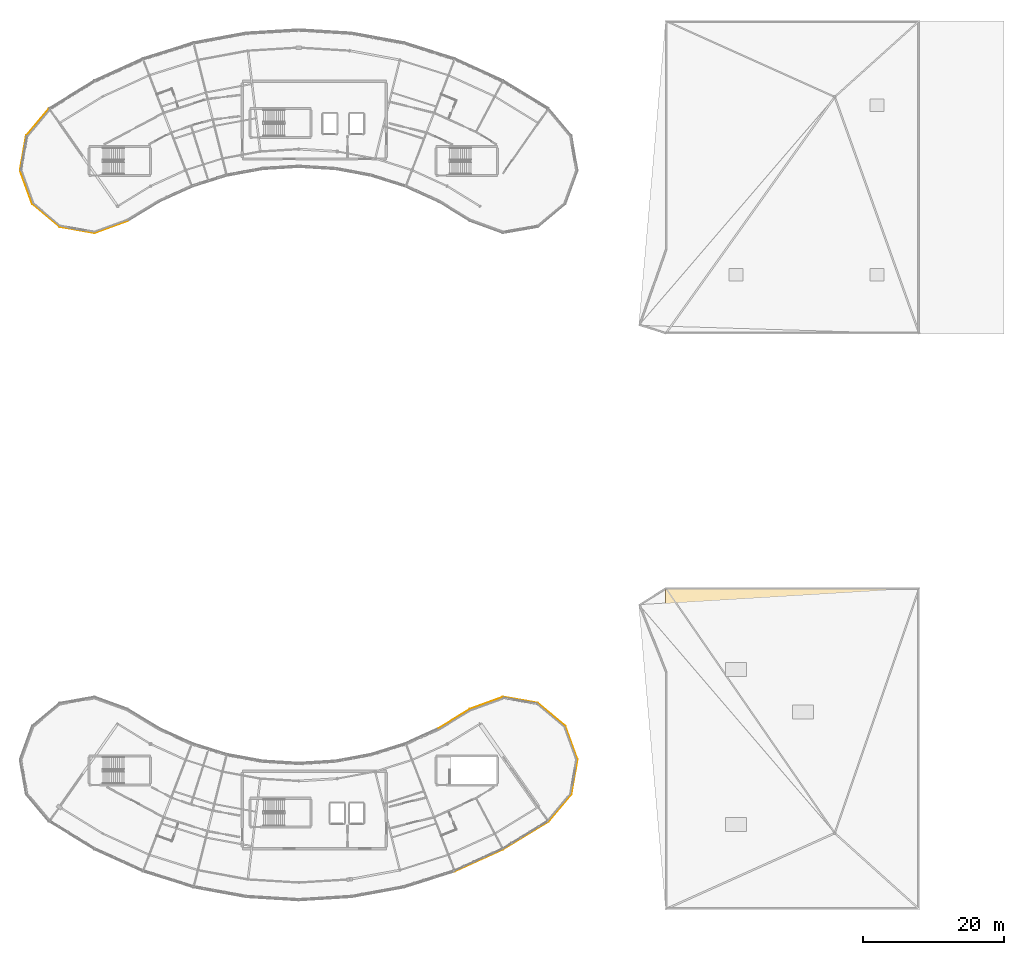
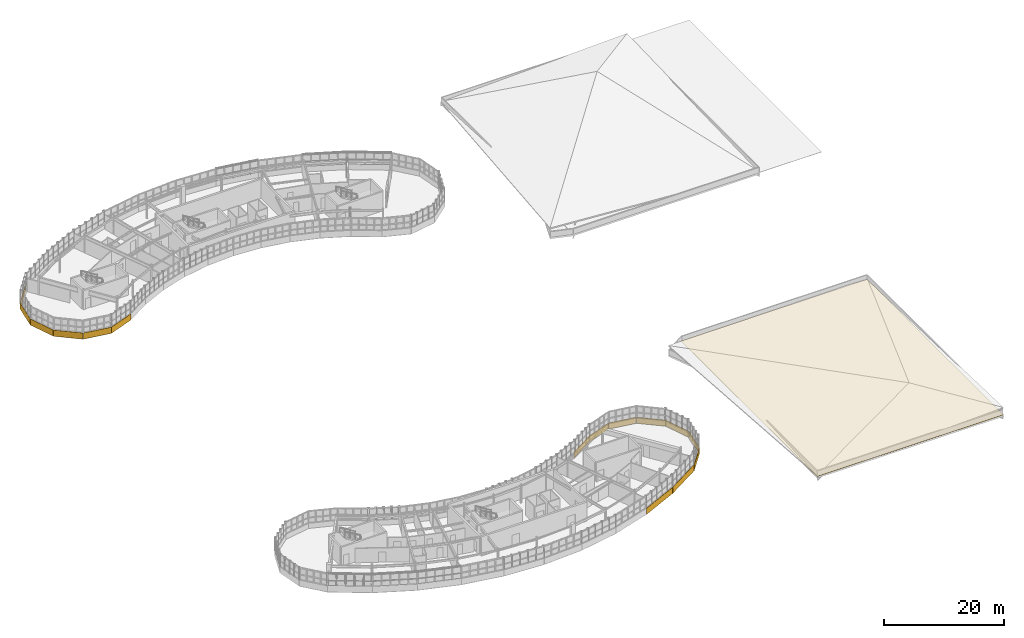
# One storey, part 75 of 79: 16 coverings.
"""IFC4 building model written with IfcOpenShell, lengths in metres."""

from ifc_helpers import new_model, si_unit, direction, frame, origin, origin_2d, place, context, subcontext, project, spatial, polyline, rectangle, outline, extrude, material, layer, layer_set, type_object, element, save


model = new_model("IFC4")

# Units and contexts
model_context = context("Model", 3, precision=1e-05, world=origin(), true_north=direction((0.0, 1.0)))
body_context = subcontext(model_context, "Body", "Model", "MODEL_VIEW")
ifc_project = project(units=[si_unit("LENGTHUNIT", "METRE"), si_unit("AREAUNIT", "SQUARE_METRE"), si_unit("VOLUMEUNIT", "CUBIC_METRE"), si_unit("PLANEANGLEUNIT", "RADIAN"), si_unit("MASSUNIT", "GRAM", prefix="KILO")], contexts=[model_context])

# Site, building, storey
site_placement = place(None, origin())
site = spatial("IfcSite", under=ifc_project, at=site_placement, CompositionType="ELEMENT")
building_placement = place(site_placement, origin())
building = spatial("IfcBuilding", under=site, at=building_placement, Name="Tarnwether General Hospital", CompositionType="ELEMENT")
storey_placement = place(building_placement, frame((0.0, 0.0, 18.300048828125)))
storey = spatial("IfcBuildingStorey", under=building, at=storey_placement, Name="L04", CompositionType="ELEMENT", Elevation=18.300048828125)

# Coverings
ifc_material_1 = material(Name="Streamlined white enamelled aluminium", Category="aluminium")
ifc_layer_1 = layer(ifc_material_1, 0.044921875)
ifc_layer_set_1 = layer_set([ifc_layer_1], Name="Streamlined white enamelled aluminium")
covering_type_1 = type_object("IfcCoveringType", Name="CV-CLD-WHT", PredefinedType="CLADDING", material=ifc_layer_set_1)
covering_1_placement = place(storey_placement, frame((52.912109375, 107.22900390625, -0.175048828125), z_axis=(0.0, 0.0, 1.0), x_axis=(0.173459104952, 0.984841072919, 0.0)))
element("IfcCovering", 1, at=covering_1_placement, inside=storey, type_object=covering_type_1, Name="Streamlined White Horizontal Band NW L04 01", PredefinedType="CLADDING", context=body_context, shape_type="SweptSolid", body=[
    extrude(rectangle(XDim=4.968994140625, YDim=0.044921875, at=origin_2d()), origin(), (0.0, 0.0, 1.0), 1.25),
])
covering_2_placement = place(storey_placement, frame((53.3359375, 102.37890625, -0.175048828125), z_axis=(0.0, 0.0, 1.0), x_axis=(-0.341954539571, 0.939716496006, 0.0)))
element("IfcCovering", 2, at=covering_2_placement, inside=storey, type_object=covering_type_1, Name="Streamlined White Horizontal Band NW L04 02", PredefinedType="CLADDING", context=body_context, shape_type="SweptSolid", body=[
    extrude(rectangle(XDim=4.968017578125, YDim=0.044921875, at=origin_2d()), origin(), (0.0, 0.0, 1.0), 1.25),
])
for number, where, z_axis, x_axis, name in (
    (3, (56.12890625, 98.39111328125, -0.175048828125), (0.0, 0.0, 1.0), (-0.765988346401, 0.642854457228, 0.0), "Streamlined White Horizontal Band NW L04 03"),
    (4, (60.541015625, 96.333984375, -0.175048828125), (0.0, 0.0, 1.0), (-0.98480472213, 0.173665365778, 0.0), "Streamlined White Horizontal Band NW L04 04"),
):
    element("IfcCovering", number, at=place(storey_placement, frame(where, z_axis=z_axis, x_axis=x_axis)), inside=storey, type_object=covering_type_1, Name=name, PredefinedType="CLADDING", context=body_context, shape_type="SweptSolid", body=[
        extrude(rectangle(XDim=4.969970703125, YDim=0.044921875, at=origin_2d()), origin(), (0.0, 0.0, 1.0), 1.25),
    ])
covering_3_placement = place(storey_placement, frame((65.39111328125, 96.758056640625, -0.175048828125), z_axis=(0.0, 0.0, 1.0), x_axis=(-0.93965082813, -0.342134945884, 0.0)))
element("IfcCovering", 5, at=covering_3_placement, inside=storey, type_object=covering_type_1, Name="Streamlined White Horizontal Band NW L04 05", PredefinedType="CLADDING", context=body_context, shape_type="SweptSolid", body=[
    extrude(rectangle(XDim=4.968994140625, YDim=0.044921875, at=origin_2d()), origin(), (0.0, 0.0, 1.0), 1.25),
])
covering_4_placement = place(storey_placement, frame((54.968994140625, 111.64111328125, -0.175048828125), z_axis=(0.0, 0.0, 1.0), x_axis=(0.642854457228, 0.765988346401, 0.0)))
element("IfcCovering", 6, at=covering_4_placement, inside=storey, type_object=covering_type_1, Name="Streamlined White Horizontal Band NW L04 32", PredefinedType="CLADDING", context=body_context, shape_type="SweptSolid", body=[
    extrude(rectangle(XDim=4.969970703125, YDim=0.044921875, at=origin_2d()), origin(), (0.0, 0.0, 1.0), 1.25),
])
for number, where, z_axis, x_axis, name in (
    (7, (117.552001953125, 6.929931640625, -0.175048828125), (0.0, 0.0, 1.0), (-0.909961270877, -0.414693242656, 0.0), "Streamlined White Horizontal Band SE L04 09"),
    (8, (124.194091796875, 10.4619140625, -0.175048828125), (0.0, 0.0, 1.0), (-0.852631044904, -0.522513446015, 0.0), "Streamlined White Horizontal Band SE L04 10"),
):
    element("IfcCovering", number, at=place(storey_placement, frame(where, z_axis=z_axis, x_axis=x_axis)), inside=storey, type_object=covering_type_1, Name=name, PredefinedType="CLADDING", context=body_context, shape_type="SweptSolid", body=[
        extrude(rectangle(XDim=7.52099609375, YDim=0.044921875, at=origin_2d()), origin(), (0.0, 0.0, 1.0), 1.25),
    ])
covering_5_placement = place(storey_placement, frame((129.031005859375, 14.35888671875, -0.175048828125), z_axis=(0.0, 0.0, 1.0), x_axis=(-0.642854457228, -0.765988346401, 0.0)))
element("IfcCovering", 9, at=covering_5_placement, inside=storey, type_object=covering_type_1, Name="Streamlined White Horizontal Band SE L04 11", PredefinedType="CLADDING", context=body_context, shape_type="SweptSolid", body=[
    extrude(rectangle(XDim=4.969970703125, YDim=0.044921875, at=origin_2d()), origin(), (0.0, 0.0, 1.0), 1.25),
])
covering_6_placement = place(storey_placement, frame((131.087890625, 18.77099609375, -0.175048828125), z_axis=(0.0, 0.0, 1.0), x_axis=(-0.173459104952, -0.984841072919, 0.0)))
element("IfcCovering", 10, at=covering_6_placement, inside=storey, type_object=covering_type_1, Name="Streamlined White Horizontal Band SE L04 12", PredefinedType="CLADDING", context=body_context, shape_type="SweptSolid", body=[
    extrude(rectangle(XDim=4.968994140625, YDim=0.044921875, at=origin_2d()), origin(), (0.0, 0.0, 1.0), 1.25),
])
covering_7_placement = place(storey_placement, frame((130.6640625, 23.62109375, -0.175048828125), z_axis=(0.0, 0.0, 1.0), x_axis=(0.341954539571, -0.939716496006, 0.0)))
element("IfcCovering", 11, at=covering_7_placement, inside=storey, type_object=covering_type_1, Name="Streamlined White Horizontal Band SE L04 13", PredefinedType="CLADDING", context=body_context, shape_type="SweptSolid", body=[
    extrude(rectangle(XDim=4.968017578125, YDim=0.044921875, at=origin_2d()), origin(), (0.0, 0.0, 1.0), 1.25),
])
for number, where, z_axis, x_axis, name in (
    (12, (127.87109375, 27.60888671875, -0.175048828125), (0.0, 0.0, 1.0), (0.765988346401, -0.642854457228, 0.0), "Streamlined White Horizontal Band SE L04 14"),
    (13, (123.458984375, 29.666015625, -0.175048828125), (0.0, 0.0, 1.0), (0.98480472213, -0.173665365778, 0.0), "Streamlined White Horizontal Band SE L04 15"),
):
    element("IfcCovering", number, at=place(storey_placement, frame(where, z_axis=z_axis, x_axis=x_axis)), inside=storey, type_object=covering_type_1, Name=name, PredefinedType="CLADDING", context=body_context, shape_type="SweptSolid", body=[
        extrude(rectangle(XDim=4.969970703125, YDim=0.044921875, at=origin_2d()), origin(), (0.0, 0.0, 1.0), 1.25),
    ])
covering_8_placement = place(storey_placement, frame((118.60888671875, 29.241943359375, -0.175048828125), z_axis=(0.0, 0.0, 1.0), x_axis=(0.93965082813, 0.342134945884, 0.0)))
element("IfcCovering", 14, at=covering_8_placement, inside=storey, type_object=covering_type_1, Name="Streamlined White Horizontal Band SE L04 16", PredefinedType="CLADDING", context=body_context, shape_type="SweptSolid", body=[
    extrude(rectangle(XDim=4.968994140625, YDim=0.044921875, at=origin_2d()), origin(), (0.0, 0.0, 1.0), 1.25),
])
covering_9_placement = place(storey_placement, frame((114.0439453125, 27.028076171875, -0.175048828125), z_axis=(0.0, 0.0, 1.0), x_axis=(0.852631044904, 0.522513446015, 0.0)))
element("IfcCovering", 15, at=covering_9_placement, inside=storey, type_object=covering_type_1, Name="Streamlined White Horizontal Band SE L04 17", PredefinedType="CLADDING", context=body_context, shape_type="SweptSolid", body=[
    extrude(rectangle(XDim=5.177001953125, YDim=0.044921875, at=origin_2d()), origin(), (0.0, 0.0, 1.0), 1.25),
])
ifc_material_2 = material(Name="Elastomeric roof membrane")
ifc_layer_2 = layer(ifc_material_2, 0.06005859375)
ifc_layer_set_2 = layer_set([ifc_layer_2], Name="Elastomeric roof membrane")
covering_type_2 = type_object("IfcCoveringType", Name="CV-RFG-MEM", PredefinedType="ROOFING", material=ifc_layer_set_2)
covering_10_placement = place(storey_placement, frame((0.0, 0.0, 0.329833984375)))
element("IfcCovering", 16, at=covering_10_placement, inside=storey, type_object=covering_type_2, Name="Roof Covering CV-RFG-V6S", PredefinedType="ROOFING", context=body_context, shape_type="SweptSolid", body=[
    extrude(outline(polyline([(180.0, 0.0), (180.0, 45.60009765625), (144.0, 45.60009765625), (144.0, 0.0), (180.0, 0.0)])), origin(), (0.0, 0.0, 1.0), 0.06005859375),
])

save(model, "model.ifc")
